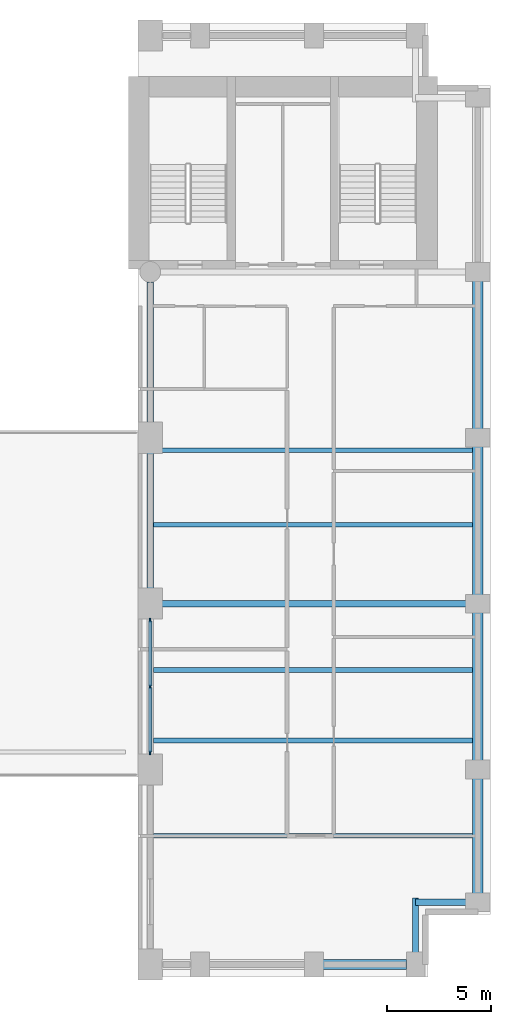
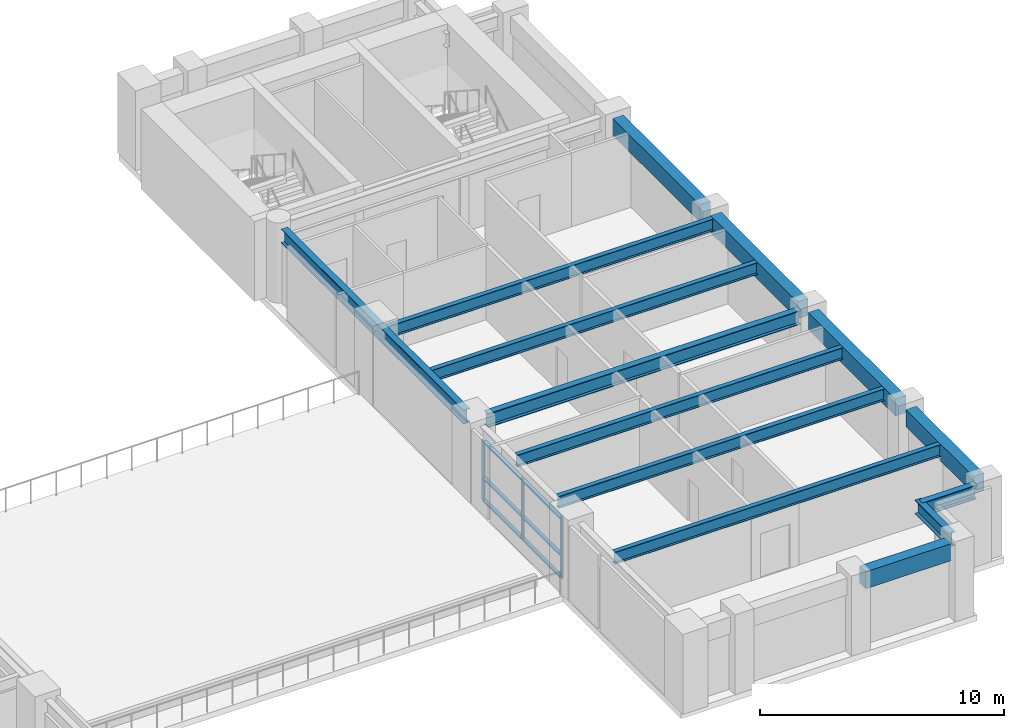
# One storey, part 2 of 10: 14 beams, 9 members, 1 element without a shape of its own.
"""IFC4 building model written with IfcOpenShell, lengths in metres."""

from ifc_helpers import new_model, si_unit, direction, frame, origin, origin_2d, place, context, subcontext, project, spatial, rectangle, i_section, extrude, material, layer, layer_set, material_profile, profile_set, type_object, element, aggregate, save


model = new_model("IFC4")

# Units and contexts
model_context = context("Model", 3, precision=1e-05, world=origin(), true_north=direction((0.0, 1.0)))
body_context = subcontext(model_context, "Body", "Model", "MODEL_VIEW")
ifc_project = project(units=[si_unit("LENGTHUNIT", "METRE"), si_unit("AREAUNIT", "SQUARE_METRE"), si_unit("VOLUMEUNIT", "CUBIC_METRE"), si_unit("PLANEANGLEUNIT", "RADIAN"), si_unit("MASSUNIT", "GRAM", prefix="KILO")], contexts=[model_context])

# Site, building, storey
site_placement = place(None, origin())
site = spatial("IfcSite", under=ifc_project, at=site_placement, CompositionType="ELEMENT")
building_placement = place(site_placement, origin())
building = spatial("IfcBuilding", under=site, at=building_placement, Name="Sulina Concourse Tower", CompositionType="ELEMENT")
storey_placement = place(building_placement, frame((0.0, 0.0, 30.60009765625)))
storey = spatial("IfcBuildingStorey", under=building, at=storey_placement, Name="L07", CompositionType="ELEMENT", Elevation=30.60009765625)

# Beams
ifc_material_1 = material(Name="Steel S355", Category="steel")
ifc_material_profile_1 = material_profile(ifc_material_1, i_section(OverallWidth=0.219970703125, OverallDepth=0.60009765625, WebThickness=0.011962890625, FlangeThickness=0.01904296875, at=origin_2d()), Name="IPE 600")
ifc_profile_set_1 = profile_set([ifc_material_profile_1], Name="Steel S355")
beam_type_1 = type_object("IfcBeamType", Name="Composite Floor Joist IPE600", PredefinedType="JOIST", material=ifc_profile_set_1)
for number, where, z_axis, x_axis, name in (
    (1, (41.75, 6.800048828125, 3.39990234375), (1.0, 0.0, 0.0), (0.0, 1.0, 0.0), "FJ-J06-3-L07"),
    (2, (41.75, 11.39990234375, 3.39990234375), (1.0, 0.0, 0.0), (0.0, 1.0, 0.0), "FJ-J11-3-L07"),
    (3, (41.75, 14.800048828125, 3.39990234375), (1.0, 0.0, 0.0), (0.0, 1.0, 0.0), "FJ-J15-3-L07"),
    (4, (41.75, 21.800048828125, 3.39990234375), (1.0, 0.0, 0.0), (0.0, 1.0, 0.0), "FJ-J22-3-L07"),
    (5, (41.75, 25.39990234375, 3.39990234375), (1.0, 0.0, 0.0), (0.0, 1.0, 0.0), "FJ-J25-3-L07"),
):
    element("IfcBeam", number, at=place(storey_placement, frame(where, z_axis=z_axis, x_axis=x_axis)), inside=storey, type_object=beam_type_1, Name=name, PredefinedType="JOIST", context=body_context, shape_type="SweptSolid", body=[
        extrude(i_section(OverallWidth=0.219970703125, OverallDepth=0.60009765625, WebThickness=0.011962890625, FlangeThickness=0.01904296875, at=origin_2d()), origin(), (0.0, 0.0, 1.0), 15.39990234375),
    ])
ifc_material_2 = material(Name="Steel S355", Category="steel")
ifc_material_profile_2 = material_profile(ifc_material_2, i_section(OverallWidth=0.300048828125, OverallDepth=0.699951171875, WebThickness=0.01708984375, FlangeThickness=0.031982421875, at=origin_2d()), Name="HE 700 B")
ifc_profile_set_2 = profile_set([ifc_material_profile_2], Name="Steel S355")
beam_type_2 = type_object("IfcBeamType", Name="Floor Primary Girder Zone 1 HE700B", PredefinedType="BEAM", material=ifc_profile_set_2)
beam_1_placement = place(storey_placement, frame((54.39990234375, 3.60009765625, 3.349853515625), z_axis=(1.0, 0.0, 0.0), x_axis=(0.0, 1.0, 0.0)))
element("IfcBeam", 6, at=beam_1_placement, inside=storey, type_object=beam_type_2, Name="TIE-SE-L07", PredefinedType="BEAM", context=body_context, shape_type="SweptSolid", body=[
    extrude(i_section(OverallWidth=0.300048828125, OverallDepth=0.699951171875, WebThickness=0.01708984375, FlangeThickness=0.031982421875, at=origin_2d()), origin(), (0.0, 0.0, 1.0), 2.570068359375),
])
beam_2_placement = place(storey_placement, frame((54.39990234375, 1.030029296875, 3.349853515625), z_axis=(0.0, 1.0, 0.0), x_axis=(-1.0, 0.0, 0.0)))
element("IfcBeam", 7, at=beam_2_placement, inside=storey, type_object=beam_type_2, Name="TIE-SES-L07", PredefinedType="BEAM", context=body_context, shape_type="SweptSolid", body=[
    extrude(i_section(OverallWidth=0.300048828125, OverallDepth=0.699951171875, WebThickness=0.01708984375, FlangeThickness=0.031982421875, at=origin_2d()), origin(), (0.0, 0.0, 1.0), 2.77001953125),
])
beam_3_placement = place(storey_placement, frame((42.179931640625, 18.0, 3.349853515625), z_axis=(1.0, 0.0, 0.0), x_axis=(0.0, 1.0, 0.0)))
element("IfcBeam", 8, at=beam_3_placement, inside=storey, type_object=beam_type_2, Name="FG-EW3-L07", PredefinedType="BEAM", context=body_context, shape_type="SweptSolid", body=[
    extrude(i_section(OverallWidth=0.300048828125, OverallDepth=0.699951171875, WebThickness=0.01708984375, FlangeThickness=0.031982421875, at=origin_2d()), origin(), (0.0, 0.0, 1.0), 14.7900390625),
])
beam_4_placement = place(storey_placement, frame((41.60009765625, 18.580078125, 3.349853515625), z_axis=(0.0, 1.0, 0.0), x_axis=(-1.0, 0.0, 0.0)))
element("IfcBeam", 9, at=beam_4_placement, inside=storey, type_object=beam_type_2, Name="FG-NSB-41-L07", PredefinedType="BEAM", context=body_context, shape_type="SweptSolid", body=[
    extrude(i_section(OverallWidth=0.300048828125, OverallDepth=0.699951171875, WebThickness=0.01708984375, FlangeThickness=0.031982421875, at=origin_2d()), origin(), (0.0, 0.0, 1.0), 14.93994140625),
])
ifc_material_3 = material(Name="Precast concrete C50/60", Category="concrete")
ifc_material_profile_3 = material_profile(ifc_material_3, rectangle(XDim=0.5, YDim=0.85009765625, at=origin_2d()), Name="RC 500x850")
ifc_profile_set_3 = profile_set([ifc_material_profile_3], Name="Precast concrete C50/60")
beam_type_3 = type_object("IfcBeamType", Name="Lower Precast Spandrel Edge Beam 500x850", PredefinedType="BEAM", material=ifc_profile_set_3)
beam_5_placement = place(storey_placement, frame((49.929931640625, 0.60009765625, 3.27490234375), z_axis=(1.0, 0.0, 0.0), x_axis=(0.0, 1.0, 0.0)))
element("IfcBeam", 10, at=beam_5_placement, inside=storey, type_object=beam_type_3, Name="SP-S7-L07", PredefinedType="BEAM", context=body_context, shape_type="SweptSolid", body=[
    extrude(rectangle(XDim=0.5, YDim=0.85009765625, at=origin_2d()), origin(), (0.0, 0.0, 1.0), 4.0400390625),
])
beam_6_placement = place(storey_placement, frame((57.39990234375, 4.030029296875, 3.27490234375), z_axis=(0.0, 1.0, 0.0), x_axis=(-1.0, 0.0, 0.0)))
element("IfcBeam", 11, at=beam_6_placement, inside=storey, type_object=beam_type_3, Name="SP-E1-L07", PredefinedType="BEAM", context=body_context, shape_type="SweptSolid", body=[
    extrude(rectangle(XDim=0.5, YDim=0.85009765625, at=origin_2d()), origin(), (0.0, 0.0, 1.0), 5.5400390625),
])
for number, where, z_axis, x_axis, name in (
    (12, (57.39990234375, 10.429931640625, 3.27490234375), (0.0, 1.0, 0.0), (-1.0, 0.0, 0.0), "SP-E2-L07"),
    (13, (57.39990234375, 18.429931640625, 3.27490234375), (0.0, 1.0, 0.0), (-1.0, 0.0, 0.0), "SP-E3-L07"),
    (14, (57.39990234375, 26.429931640625, 3.27490234375), (0.0, 1.0, 0.0), (-1.0, 0.0, 0.0), "SP-E4-L07"),
):
    element("IfcBeam", number, at=place(storey_placement, frame(where, z_axis=z_axis, x_axis=x_axis)), inside=storey, type_object=beam_type_3, Name=name, PredefinedType="BEAM", context=body_context, shape_type="SweptSolid", body=[
        extrude(rectangle(XDim=0.5, YDim=0.85009765625, at=origin_2d()), origin(), (0.0, 0.0, 1.0), 7.14013671875),
    ])

# Curtain wall, members
ifc_material_4 = material(Name="Anodised bronze aluminium", Category="aluminium")
ifc_layer = layer(ifc_material_4, 0.219970703125)
ifc_layer_set = layer_set([ifc_layer], Name="Anodised bronze aluminium")
curtain_wall_type = type_object("IfcCurtainWallType", Name="Lower Terraced Portal Curtain Wall System", PredefinedType="NOTDEFINED", material=ifc_layer_set)
curtain_wall_placement = place(storey_placement, origin())
curtain_wall = element("IfcCurtainWall", 15, at=curtain_wall_placement, inside=storey, type_object=curtain_wall_type, Name="L07 glazed curtain wall PE2", PredefinedType="NOTDEFINED")
ifc_material_5 = material(Name="Anodised bronze aluminium", Category="aluminium")
ifc_material_profile_4 = material_profile(ifc_material_5, rectangle(XDim=0.070068359375, YDim=0.199951171875, at=origin_2d()), Name="MUL 70x200")
ifc_profile_set_4 = profile_set([ifc_material_profile_4], Name="Anodised bronze aluminium")
member_type_1 = type_object("IfcMemberType", Name="Lower Terraced Portal Curtain Wall System Mullion 70x200", PredefinedType="MULLION", material=ifc_profile_set_4)
member_1_placement = place(storey_placement, frame((41.60009765625, 10.804931640625, 0.0), z_axis=(0.0, 0.0, 1.0), x_axis=(-1.0, 0.0, 0.0)))
member_1 = element("IfcMember", 16, at=member_1_placement, type_object=member_type_1, Name="CW-02 mullion 1", PredefinedType="MULLION", context=body_context, shape_type="SweptSolid", body=[
    extrude(rectangle(XDim=0.070068359375, YDim=0.199951171875, at=origin_2d()), origin(), (0.0, 0.0, 1.0), 3.0),
])
member_2_placement = place(storey_placement, frame((41.60009765625, 14.0, 0.0), z_axis=(0.0, 0.0, 1.0), x_axis=(-1.0, 0.0, 0.0)))
member_2 = element("IfcMember", 17, at=member_2_placement, type_object=member_type_1, Name="CW-02 mullion 2", PredefinedType="MULLION", context=body_context, shape_type="SweptSolid", body=[
    extrude(rectangle(XDim=0.070068359375, YDim=0.199951171875, at=origin_2d()), origin(), (0.0, 0.0, 1.0), 3.0),
])
member_3_placement = place(storey_placement, frame((41.60009765625, 17.195068359375, 0.0), z_axis=(0.0, 0.0, 1.0), x_axis=(-1.0, 0.0, 0.0)))
member_3 = element("IfcMember", 18, at=member_3_placement, type_object=member_type_1, Name="CW-02 mullion 3", PredefinedType="MULLION", context=body_context, shape_type="SweptSolid", body=[
    extrude(rectangle(XDim=0.070068359375, YDim=0.199951171875, at=origin_2d()), origin(), (0.0, 0.0, 1.0), 3.0),
])
ifc_material_6 = material(Name="Anodised bronze aluminium", Category="aluminium")
ifc_material_profile_5 = material_profile(ifc_material_6, rectangle(XDim=0.1650390625, YDim=0.070068359375, at=origin_2d()), Name="TRN 70x165")
ifc_profile_set_5 = profile_set([ifc_material_profile_5], Name="Anodised bronze aluminium")
member_type_2 = type_object("IfcMemberType", Name="Lower Terraced Portal Curtain Wall System Transom 70x165", PredefinedType="USERDEFINED", material=ifc_profile_set_5)
member_4_placement = place(storey_placement, frame((41.60009765625, 10.840087890625, 0.034912109375), z_axis=(0.0, 1.0, 0.0), x_axis=(-1.0, 0.0, 0.0)))
member_4 = element("IfcMember", 19, at=member_4_placement, type_object=member_type_2, Name="CW-02 transom 1.1", ObjectType="TRANSOM", PredefinedType="USERDEFINED", context=body_context, shape_type="SweptSolid", body=[
    extrude(rectangle(XDim=0.1650390625, YDim=0.070068359375, at=origin_2d()), origin(), (0.0, 0.0, 1.0), 3.125),
])
member_5_placement = place(storey_placement, frame((41.60009765625, 10.840087890625, 1.139892578125), z_axis=(0.0, 1.0, 0.0), x_axis=(-1.0, 0.0, 0.0)))
member_5 = element("IfcMember", 20, at=member_5_placement, type_object=member_type_2, Name="CW-02 transom 1.2", ObjectType="TRANSOM", PredefinedType="USERDEFINED", context=body_context, shape_type="SweptSolid", body=[
    extrude(rectangle(XDim=0.1650390625, YDim=0.070068359375, at=origin_2d()), origin(), (0.0, 0.0, 1.0), 3.125),
])
member_6_placement = place(storey_placement, frame((41.60009765625, 10.840087890625, 2.96484375), z_axis=(0.0, 1.0, 0.0), x_axis=(-1.0, 0.0, 0.0)))
member_6 = element("IfcMember", 21, at=member_6_placement, type_object=member_type_2, Name="CW-02 transom 1.3", ObjectType="TRANSOM", PredefinedType="USERDEFINED", context=body_context, shape_type="SweptSolid", body=[
    extrude(rectangle(XDim=0.1650390625, YDim=0.070068359375, at=origin_2d()), origin(), (0.0, 0.0, 1.0), 3.125),
])
member_7_placement = place(storey_placement, frame((41.60009765625, 14.034912109375, 0.034912109375), z_axis=(0.0, 1.0, 0.0), x_axis=(-1.0, 0.0, 0.0)))
member_7 = element("IfcMember", 22, at=member_7_placement, type_object=member_type_2, Name="CW-02 transom 2.1", ObjectType="TRANSOM", PredefinedType="USERDEFINED", context=body_context, shape_type="SweptSolid", body=[
    extrude(rectangle(XDim=0.1650390625, YDim=0.070068359375, at=origin_2d()), origin(), (0.0, 0.0, 1.0), 3.125),
])
member_8_placement = place(storey_placement, frame((41.60009765625, 14.034912109375, 1.139892578125), z_axis=(0.0, 1.0, 0.0), x_axis=(-1.0, 0.0, 0.0)))
member_8 = element("IfcMember", 23, at=member_8_placement, type_object=member_type_2, Name="CW-02 transom 2.2", ObjectType="TRANSOM", PredefinedType="USERDEFINED", context=body_context, shape_type="SweptSolid", body=[
    extrude(rectangle(XDim=0.1650390625, YDim=0.070068359375, at=origin_2d()), origin(), (0.0, 0.0, 1.0), 3.125),
])
member_9_placement = place(storey_placement, frame((41.60009765625, 14.034912109375, 2.96484375), z_axis=(0.0, 1.0, 0.0), x_axis=(-1.0, 0.0, 0.0)))
member_9 = element("IfcMember", 24, at=member_9_placement, type_object=member_type_2, Name="CW-02 transom 2.3", ObjectType="TRANSOM", PredefinedType="USERDEFINED", context=body_context, shape_type="SweptSolid", body=[
    extrude(rectangle(XDim=0.1650390625, YDim=0.070068359375, at=origin_2d()), origin(), (0.0, 0.0, 1.0), 3.125),
])
aggregate(curtain_wall, [member_1, member_2, member_3, member_4, member_5, member_6, member_7, member_8, member_9])

save(model, "model.ifc")
